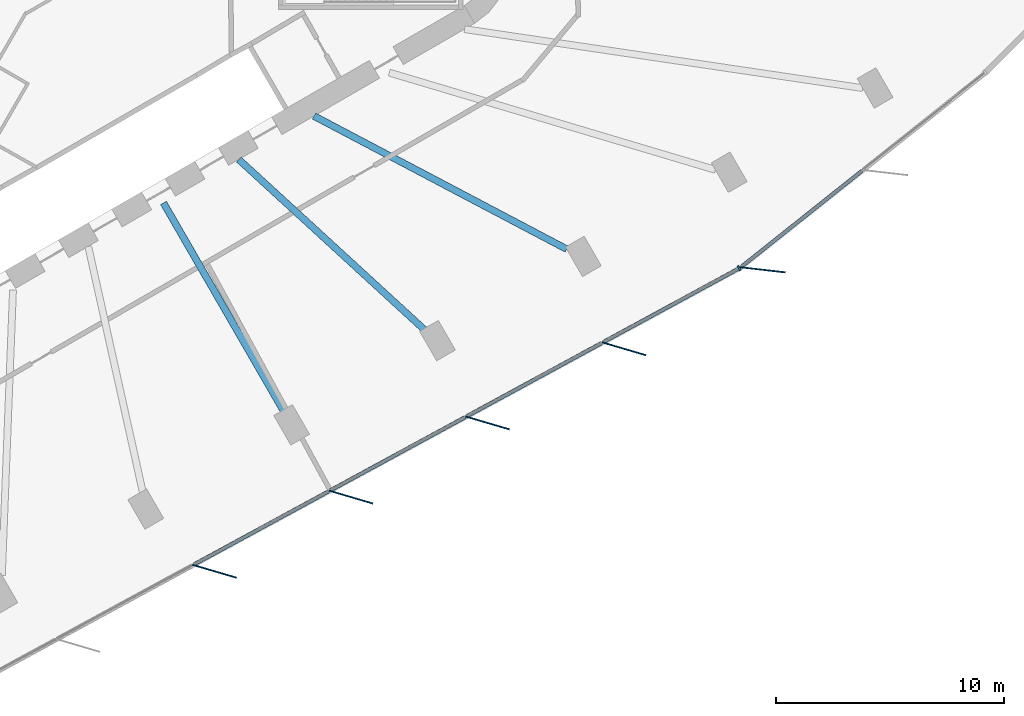
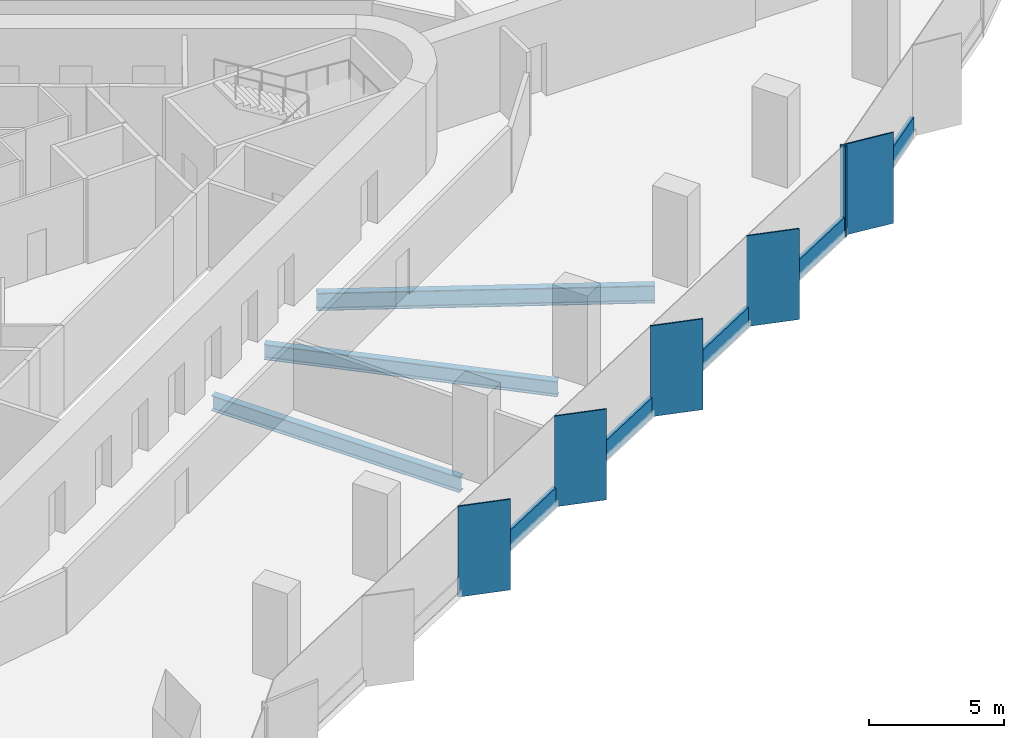
# One storey, part 3 of 13: 11 members, 3 beams, 2 elements without a shape of their own.
"""IFC4 building model written with IfcOpenShell, lengths in metres."""

from ifc_helpers import new_model, si_unit, direction, frame, origin, origin_2d, place, context, subcontext, project, spatial, rectangle, i_section, extrude, material, material_profile, profile_set, type_object, element, aggregate, save


model = new_model("IFC4")

# Units and contexts
model_context = context("Model", 3, precision=1e-05, world=origin(), true_north=direction((0.0, 1.0)))
body_context = subcontext(model_context, "Body", "Model", "MODEL_VIEW")
ifc_project = project(units=[si_unit("LENGTHUNIT", "METRE"), si_unit("AREAUNIT", "SQUARE_METRE"), si_unit("VOLUMEUNIT", "CUBIC_METRE"), si_unit("PLANEANGLEUNIT", "RADIAN"), si_unit("MASSUNIT", "GRAM", prefix="KILO")], contexts=[model_context])

# Site, building, storey
site_placement = place(None, origin())
site = spatial("IfcSite", under=ifc_project, at=site_placement, CompositionType="ELEMENT")
building_placement = place(site_placement, origin())
building = spatial("IfcBuilding", under=site, at=building_placement, Name="Tanit Gate Tower", CompositionType="ELEMENT")
storey_placement = place(building_placement, frame((0.0, 0.0, 57.800048828125)))
storey = spatial("IfcBuildingStorey", under=building, at=storey_placement, Name="L10", CompositionType="ELEMENT", Elevation=57.800048828125)

# Curtain wall, members
ifc_material_1 = material(Name="Aluminium bronze anodised and glass", Category="aluminium")
curtain_wall_type = type_object("IfcCurtainWallType", Name="Curtain wall typical low", PredefinedType="NOTDEFINED", material=ifc_material_1)
curtain_wall_1_placement = place(storey_placement, origin())
curtain_wall_1 = element("IfcCurtainWall", 1, at=curtain_wall_1_placement, inside=storey, type_object=curtain_wall_type, Name="Curtain wall L10 SE2", PredefinedType="NOTDEFINED")
ifc_material_2 = material(Name="Aluminium bronze anodised", Category="aluminium")
ifc_material_profile_1 = material_profile(ifc_material_2, rectangle(XDim=2.0, YDim=0.055908203125, at=origin_2d()), Name="56x2000 bronze fin mullion")
ifc_profile_set_1 = profile_set([ifc_material_profile_1], Name="Aluminium bronze anodised")
member_type_1 = type_object("IfcMemberType", Name="FIN MULLION 56x2000 bronze", PredefinedType="MULLION", material=ifc_profile_set_1)
member_1_placement = place(storey_placement, frame((8.287841796875, -26.641357421875, -0.300048828125), z_axis=(0.0, 0.0, 1.0), x_axis=(-0.958891574692, 0.28377270479, 0.0)))
member_1 = element("IfcMember", 2, at=member_1_placement, type_object=member_type_1, Name="Fin mullion L10 SE2.3", PredefinedType="MULLION", context=body_context, shape_type="SweptSolid", body=[
    extrude(rectangle(XDim=2.0, YDim=0.055908203125, at=origin_2d()), origin(), (0.0, 0.0, 1.0), 4.10009765625),
])
member_2_placement = place(storey_placement, frame((14.278564453125, -23.386962890625, -0.300048828125), z_axis=(0.0, 0.0, 1.0), x_axis=(-0.958891574692, 0.28377270479, 0.0)))
member_2 = element("IfcMember", 3, at=member_2_placement, type_object=member_type_1, Name="Fin mullion L10 SE2.4", PredefinedType="MULLION", context=body_context, shape_type="SweptSolid", body=[
    extrude(rectangle(XDim=2.0, YDim=0.055908203125, at=origin_2d()), origin(), (0.0, 0.0, 1.0), 4.10009765625),
])
member_3_placement = place(storey_placement, frame((20.269287109375, -20.13232421875, -0.300048828125), z_axis=(0.0, 0.0, 1.0), x_axis=(-0.958891574692, 0.28377270479, 0.0)))
member_3 = element("IfcMember", 4, at=member_3_placement, type_object=member_type_1, Name="Fin mullion L10 SE2.5", PredefinedType="MULLION", context=body_context, shape_type="SweptSolid", body=[
    extrude(rectangle(XDim=2.0, YDim=0.055908203125, at=origin_2d()), origin(), (0.0, 0.0, 1.0), 4.10009765625),
])
member_4_placement = place(storey_placement, frame((26.260009765625, -16.877685546875, -0.300048828125), z_axis=(0.0, 0.0, 1.0), x_axis=(-0.958891574692, 0.28377270479, 0.0)))
member_4 = element("IfcMember", 5, at=member_4_placement, type_object=member_type_1, Name="Fin mullion L10 SE2.6", PredefinedType="MULLION", context=body_context, shape_type="SweptSolid", body=[
    extrude(rectangle(XDim=2.0, YDim=0.055908203125, at=origin_2d()), origin(), (0.0, 0.0, 1.0), 4.10009765625),
])

# Curtain wall, member
curtain_wall_2_placement = place(storey_placement, origin())
curtain_wall_2 = element("IfcCurtainWall", 6, at=curtain_wall_2_placement, inside=storey, type_object=curtain_wall_type, Name="Curtain wall L10 SE3", PredefinedType="NOTDEFINED")
member_5_placement = place(storey_placement, frame((32.350830078125, -13.412353515625, -0.300048828125), z_axis=(0.0, 0.0, 1.0), x_axis=(-0.993566182952, 0.113252991549, 0.0)))
member_5 = element("IfcMember", 7, at=member_5_placement, type_object=member_type_1, Name="Fin mullion L10 SE3.1", PredefinedType="MULLION", context=body_context, shape_type="SweptSolid", body=[
    extrude(rectangle(XDim=2.0, YDim=0.055908203125, at=origin_2d()), origin(), (0.0, 0.0, 1.0), 4.10009765625),
])

# Member
ifc_material_3 = material(Name="Aluminium bronze anodised", Category="aluminium")
ifc_material_profile_2 = material_profile(ifc_material_3, rectangle(XDim=0.239990234375, YDim=0.080078125, at=origin_2d()), Name="80x240 bronze mullion")
ifc_profile_set_2 = profile_set([ifc_material_profile_2], Name="Aluminium bronze anodised")
member_type_2 = type_object("IfcMemberType", Name="Mullion 80x240 typical low", PredefinedType="MULLION", material=ifc_profile_set_2)
member_6_placement = place(storey_placement, frame((31.313232421875, -13.345703125, -0.300048828125), z_axis=(0.0, 0.0, 1.0), x_axis=(-0.477381131015, 0.87869633876, 0.0)))
member_6 = element("IfcMember", 8, at=member_6_placement, type_object=member_type_2, Name="Mullion L10 SE2.7", PredefinedType="MULLION", context=body_context, shape_type="SweptSolid", body=[
    extrude(rectangle(XDim=0.239990234375, YDim=0.080078125, at=origin_2d()), origin(), (0.0, 0.0, 1.0), 4.10009765625),
])

# Beams
ifc_material_4 = material(Name="Steel S355", Category="steel")
ifc_material_profile_3 = material_profile(ifc_material_4, i_section(OverallWidth=0.300048828125, OverallDepth=0.68994140625, WebThickness=0.014404296875, FlangeThickness=0.027099609375, FilletRadius=0.027099609375, at=origin_2d()), Name="HEA 700")
ifc_profile_set_3 = profile_set([ifc_material_profile_3], Name="Steel S355")
beam_type_1 = type_object("IfcBeamType", Name="RADIAL GIRDER HEA 700 S355", PredefinedType="BEAM", material=ifc_profile_set_3)
beam_1_placement = place(storey_placement, frame((11.351806640625, -19.661865234375, -0.64501953125), z_axis=(-0.500002863238, 0.866023750687, 0.0), x_axis=(-0.866023750687, -0.500002863238, 0.0)))
element("IfcBeam", 9, at=beam_1_placement, inside=storey, type_object=beam_type_1, Name="RADIAL GIRDER", PredefinedType="BEAM", context=body_context, shape_type="SweptSolid", body=[
    extrude(i_section(OverallWidth=0.300048828125, OverallDepth=0.68994140625, WebThickness=0.014404296875, FlangeThickness=0.027099609375, FilletRadius=0.027099609375, at=origin_2d()), origin(), (0.0, 0.0, 1.0), 10.6015625),
])
beam_2_placement = place(storey_placement, frame((17.548095703125, -16.084228515625, -0.64501953125), z_axis=(-0.737176932587, 0.675699763254, 0.0), x_axis=(-0.675699763254, -0.737176932587, 0.0)))
element("IfcBeam", 10, at=beam_2_placement, inside=storey, type_object=beam_type_1, Name="RADIAL GIRDER", PredefinedType="BEAM", context=body_context, shape_type="SweptSolid", body=[
    extrude(i_section(OverallWidth=0.300048828125, OverallDepth=0.68994140625, WebThickness=0.014404296875, FlangeThickness=0.027099609375, FilletRadius=0.027099609375, at=origin_2d()), origin(), (0.0, 0.0, 1.0), 11.115478515625),
])
ifc_material_5 = material(Name="Steel S355", Category="steel")
ifc_material_profile_4 = material_profile(ifc_material_5, i_section(OverallWidth=0.300048828125, OverallDepth=0.7900390625, WebThickness=0.014892578125, FlangeThickness=0.028076171875, FilletRadius=0.030029296875, at=origin_2d()), Name="HEA 800")
ifc_profile_set_4 = profile_set([ifc_material_profile_4], Name="Steel S355")
beam_type_2 = type_object("IfcBeamType", Name="RADIAL GIRDER HEA 800 S355", PredefinedType="BEAM", material=ifc_profile_set_4)
beam_3_placement = place(storey_placement, frame((23.74462890625, -12.506591796875, -0.695068359375), z_axis=(-0.884770690276, 0.466026636179, 0.0), x_axis=(-0.466026636179, -0.884770690276, 0.0)))
element("IfcBeam", 11, at=beam_3_placement, inside=storey, type_object=beam_type_2, Name="RADIAL GIRDER", PredefinedType="BEAM", context=body_context, shape_type="SweptSolid", body=[
    extrude(i_section(OverallWidth=0.300048828125, OverallDepth=0.7900390625, WebThickness=0.014892578125, FlangeThickness=0.028076171875, FilletRadius=0.030029296875, at=origin_2d()), origin(), (0.0, 0.0, 1.0), 12.53173828125),
])

# Member
ifc_material_6 = material(Name="Aluminium bronze anodised", Category="aluminium")
ifc_material_profile_5 = material_profile(ifc_material_6, rectangle(XDim=0.159912109375, YDim=0.89990234375, at=origin_2d()), Name="160x900 bronze transom")
ifc_profile_set_5 = profile_set([ifc_material_profile_5], Name="Aluminium bronze anodised")
member_type_3 = type_object("IfcMemberType", Name="Transom 160x900 typical low", PredefinedType="USERDEFINED", material=ifc_profile_set_5)
member_7_placement = place(storey_placement, frame((7.385986328125, -26.344970703125, 0.14990234375), z_axis=(0.878705798201, 0.47736371899, 0.0), x_axis=(-0.47736371899, 0.878705798201, 0.0)))
member_7 = element("IfcMember", 12, at=member_7_placement, type_object=member_type_3, Name="Transom L10 SE2.3", ObjectType="TRANSOM", PredefinedType="USERDEFINED", context=body_context, shape_type="SweptSolid", body=[
    extrude(rectangle(XDim=0.159912109375, YDim=0.89990234375, at=origin_2d()), origin(), (0.0, 0.0, 1.0), 6.737548828125),
])

member_8_placement = place(storey_placement, frame((13.37646484375, -23.09033203125, 0.14990234375), z_axis=(0.878705798201, 0.47736371899, 0.0), x_axis=(-0.47736371899, 0.878705798201, 0.0)))
member_8 = element("IfcMember", 13, at=member_8_placement, type_object=member_type_3, Name="Transom L10 SE2.4", ObjectType="TRANSOM", PredefinedType="USERDEFINED", context=body_context, shape_type="SweptSolid", body=[
    extrude(rectangle(XDim=0.159912109375, YDim=0.89990234375, at=origin_2d()), origin(), (0.0, 0.0, 1.0), 6.737548828125),
])

member_9_placement = place(storey_placement, frame((19.3671875, -19.835693359375, 0.14990234375), z_axis=(0.878705798201, 0.47736371899, 0.0), x_axis=(-0.47736371899, 0.878705798201, 0.0)))
member_9 = element("IfcMember", 14, at=member_9_placement, type_object=member_type_3, Name="Transom L10 SE2.5", ObjectType="TRANSOM", PredefinedType="USERDEFINED", context=body_context, shape_type="SweptSolid", body=[
    extrude(rectangle(XDim=0.159912109375, YDim=0.89990234375, at=origin_2d()), origin(), (0.0, 0.0, 1.0), 6.737548828125),
])

member_10_placement = place(storey_placement, frame((25.35791015625, -16.5810546875, 0.14990234375), z_axis=(0.878697540649, 0.477378918739, 0.0), x_axis=(-0.477378918739, 0.878697540649, 0.0)))
member_10 = element("IfcMember", 15, at=member_10_placement, type_object=member_type_3, Name="Transom L10 SE2.6", ObjectType="TRANSOM", PredefinedType="USERDEFINED", context=body_context, shape_type="SweptSolid", body=[
    extrude(rectangle(XDim=0.159912109375, YDim=0.89990234375, at=origin_2d()), origin(), (0.0, 0.0, 1.0), 6.737548828125),
])

aggregate(curtain_wall_1, [member_1, member_2, member_3, member_4, member_6, member_7, member_8, member_9, member_10])

member_11_placement = place(storey_placement, frame((31.4111328125, -13.27685546875, 0.14990234375), z_axis=(0.782629768597, 0.622487465983, 0.0), x_axis=(-0.622487465983, 0.782629768597, 0.0)))
member_11 = element("IfcMember", 16, at=member_11_placement, type_object=member_type_3, Name="Transom L10 SE3.1", ObjectType="TRANSOM", PredefinedType="USERDEFINED", context=body_context, shape_type="SweptSolid", body=[
    extrude(rectangle(XDim=0.159912109375, YDim=0.89990234375, at=origin_2d()), origin(), (0.0, 0.0, 1.0), 6.778076171875),
])

aggregate(curtain_wall_2, [member_5, member_11])

save(model, "model.ifc")
